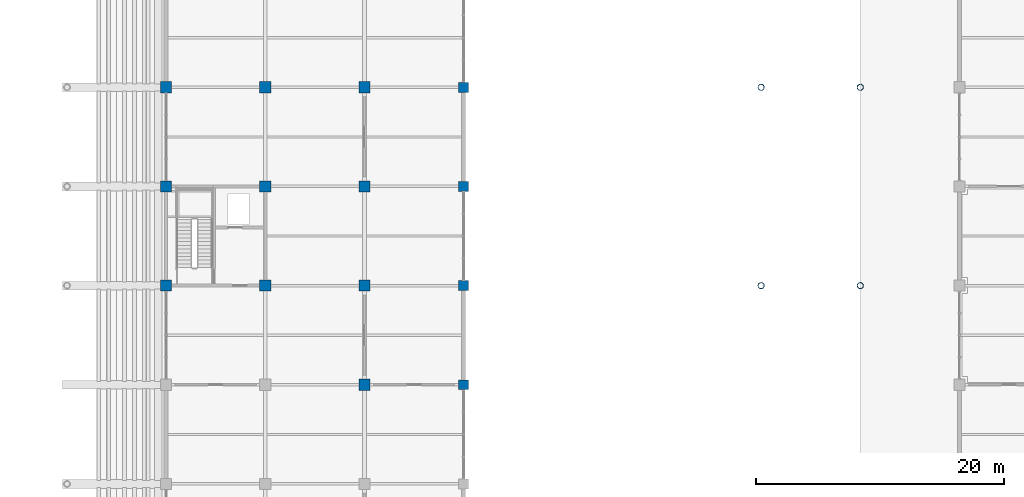
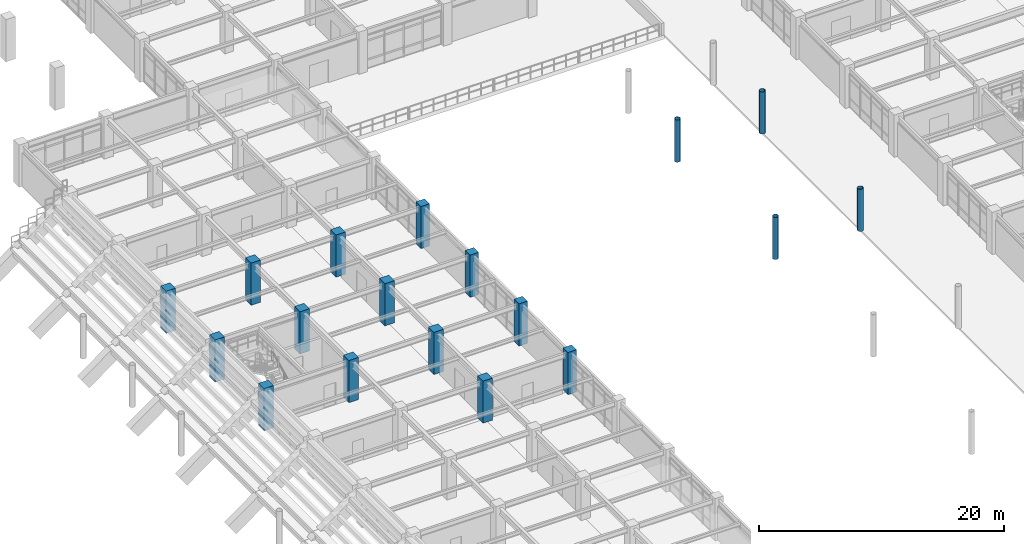
# One storey, part 10 of 118: 18 columns.
"""IFC4 building model written with IfcOpenShell, lengths in metres."""

from ifc_helpers import new_model, si_unit, direction, frame, origin, origin_2d, place, context, subcontext, project, spatial, rectangle, hollow_circle, extrude, material, material_profile, profile_set, type_object, element, save


model = new_model("IFC4")

# Units and contexts
model_context = context("Model", 3, precision=1e-05, world=origin(), true_north=direction((0.0, 1.0)))
body_context = subcontext(model_context, "Body", "Model", "MODEL_VIEW")
ifc_project = project(units=[si_unit("LENGTHUNIT", "METRE"), si_unit("AREAUNIT", "SQUARE_METRE"), si_unit("VOLUMEUNIT", "CUBIC_METRE"), si_unit("PLANEANGLEUNIT", "RADIAN"), si_unit("MASSUNIT", "GRAM", prefix="KILO")], contexts=[model_context])

# Site, building, storey
site_placement = place(None, origin())
site = spatial("IfcSite", under=ifc_project, at=site_placement, CompositionType="ELEMENT")
building_placement = place(site_placement, origin())
building = spatial("IfcBuilding", under=site, at=building_placement, Name="Haebicheon Civic Stadium", CompositionType="ELEMENT")
storey_placement = place(building_placement, frame((0.0, 0.0, 14.39990234375)))
storey = spatial("IfcBuildingStorey", under=building, at=storey_placement, Name="L04", CompositionType="ELEMENT", Elevation=14.39990234375)

# Columns
ifc_material_1 = material(Name="Concrete C40/50", Category="concrete")
ifc_material_profile_1 = material_profile(ifc_material_1, rectangle(XDim=0.800048828125, YDim=0.800048828125, at=origin_2d()), Name="RC-COL-800x800")
ifc_profile_set_1 = profile_set([ifc_material_profile_1], Name="Concrete C40/50")
column_type_1 = type_object("IfcColumnType", Name="COL-RC-800", PredefinedType="COLUMN", material=ifc_profile_set_1)
for number, where, z_axis, x_axis, name in (
    (1, (168.0, 96.0, 0.0), (0.0, 0.0, 1.0), (1.0, 0.0, 0.0), "L04 column 22/N"),
    (2, (168.0, 104.0, 0.0), (0.0, 0.0, 1.0), (1.0, 0.0, 0.0), "L04 column 22/P"),
    (3, (168.0, 112.0, 0.0), (0.0, 0.0, 1.0), (1.0, 0.0, 0.0), "L04 column 22/Q"),
    (4, (168.0, 120.0, 0.0), (0.0, 0.0, 1.0), (1.0, 0.0, 0.0), "L04 column 22/R"),
):
    element("IfcColumn", number, at=place(storey_placement, frame(where, z_axis=z_axis, x_axis=x_axis)), inside=storey, type_object=column_type_1, material=ifc_profile_set_1, Name=name, PredefinedType="COLUMN", context=body_context, shape_type="SweptSolid", body=[
        extrude(rectangle(XDim=0.800048828125, YDim=0.800048828125, at=origin_2d()), origin(), (0.0, 0.0, 1.0), 4.2001953125),
    ])
ifc_material_2 = material(Name="Concrete C40/50", Category="concrete")
ifc_material_profile_2 = material_profile(ifc_material_2, rectangle(XDim=0.89990234375, YDim=0.89990234375, at=origin_2d()), Name="RC-COL-900x900")
ifc_profile_set_2 = profile_set([ifc_material_profile_2], Name="Concrete C40/50")
column_type_2 = type_object("IfcColumnType", Name="COL-RC-900", PredefinedType="COLUMN", material=ifc_profile_set_2)
for number, where, z_axis, x_axis, name in (
    (5, (144.0, 104.0, 0.0), (0.0, 0.0, 1.0), (1.0, 0.0, 0.0), "L04 column 19/P"),
    (6, (144.0, 112.0, 0.0), (0.0, 0.0, 1.0), (1.0, 0.0, 0.0), "L04 column 19/Q"),
    (7, (144.0, 120.0, 0.0), (0.0, 0.0, 1.0), (1.0, 0.0, 0.0), "L04 column 19/R"),
    (8, (152.0, 104.0, 0.0), (0.0, 0.0, 1.0), (1.0, 0.0, 0.0), "L04 column 20/P"),
    (9, (152.0, 112.0, 0.0), (0.0, 0.0, 1.0), (1.0, 0.0, 0.0), "L04 column 20/Q"),
    (10, (152.0, 120.0, 0.0), (0.0, 0.0, 1.0), (1.0, 0.0, 0.0), "L04 column 20/R"),
    (11, (160.0, 96.0, 0.0), (0.0, 0.0, 1.0), (1.0, 0.0, 0.0), "L04 column 21/N"),
    (12, (160.0, 104.0, 0.0), (0.0, 0.0, 1.0), (1.0, 0.0, 0.0), "L04 column 21/P"),
    (13, (160.0, 112.0, 0.0), (0.0, 0.0, 1.0), (1.0, 0.0, 0.0), "L04 column 21/Q"),
    (14, (160.0, 120.0, 0.0), (0.0, 0.0, 1.0), (1.0, 0.0, 0.0), "L04 column 21/R"),
):
    element("IfcColumn", number, at=place(storey_placement, frame(where, z_axis=z_axis, x_axis=x_axis)), inside=storey, type_object=column_type_2, material=ifc_profile_set_2, Name=name, PredefinedType="COLUMN", context=body_context, shape_type="SweptSolid", body=[
        extrude(rectangle(XDim=0.89990234375, YDim=0.89990234375, at=origin_2d()), origin(), (0.0, 0.0, 1.0), 4.2001953125),
    ])
ifc_material_3 = material(Name="White painted steel SM490", Category="steel")
ifc_material_profile_3 = material_profile(ifc_material_3, hollow_circle(Radius=0.25390625, WallThickness=0.02490234375, at=origin_2d()), Name="CHS-508.0x25.0")
ifc_profile_set_3 = profile_set([ifc_material_profile_3], Name="White painted steel SM490")
column_type_3 = type_object("IfcColumnType", Name="COL-ST-CHS508", PredefinedType="COLUMN", material=ifc_profile_set_3)
for number, where, z_axis, x_axis, name in (
    (15, (200.0, 104.0, 0.0), (0.0, 0.0, 1.0), (1.0, 0.0, 0.0), "Bowl/canopy support column 200/104 (L04)"),
    (16, (192.0, 104.0, 0.0), (0.0, 0.0, 1.0), (1.0, 0.0, 0.0), "Bowl/canopy support column 192/104 (L04)"),
    (17, (200.0, 120.0, 0.0), (0.0, 0.0, 1.0), (1.0, 0.0, 0.0), "Bowl/canopy support column 200/120 (L04)"),
    (18, (192.0, 120.0, 0.0), (0.0, 0.0, 1.0), (1.0, 0.0, 0.0), "Bowl/canopy support column 192/120 (L04)"),
):
    element("IfcColumn", number, at=place(storey_placement, frame(where, z_axis=z_axis, x_axis=x_axis)), inside=storey, type_object=column_type_3, material=ifc_profile_set_3, Name=name, PredefinedType="COLUMN", context=body_context, shape_type="SweptSolid", body=[
        extrude(hollow_circle(Radius=0.25390625, WallThickness=0.02490234375, at=origin_2d()), origin(), (0.0, 0.0, 1.0), 4.2001953125),
    ])

save(model, "model.ifc")
